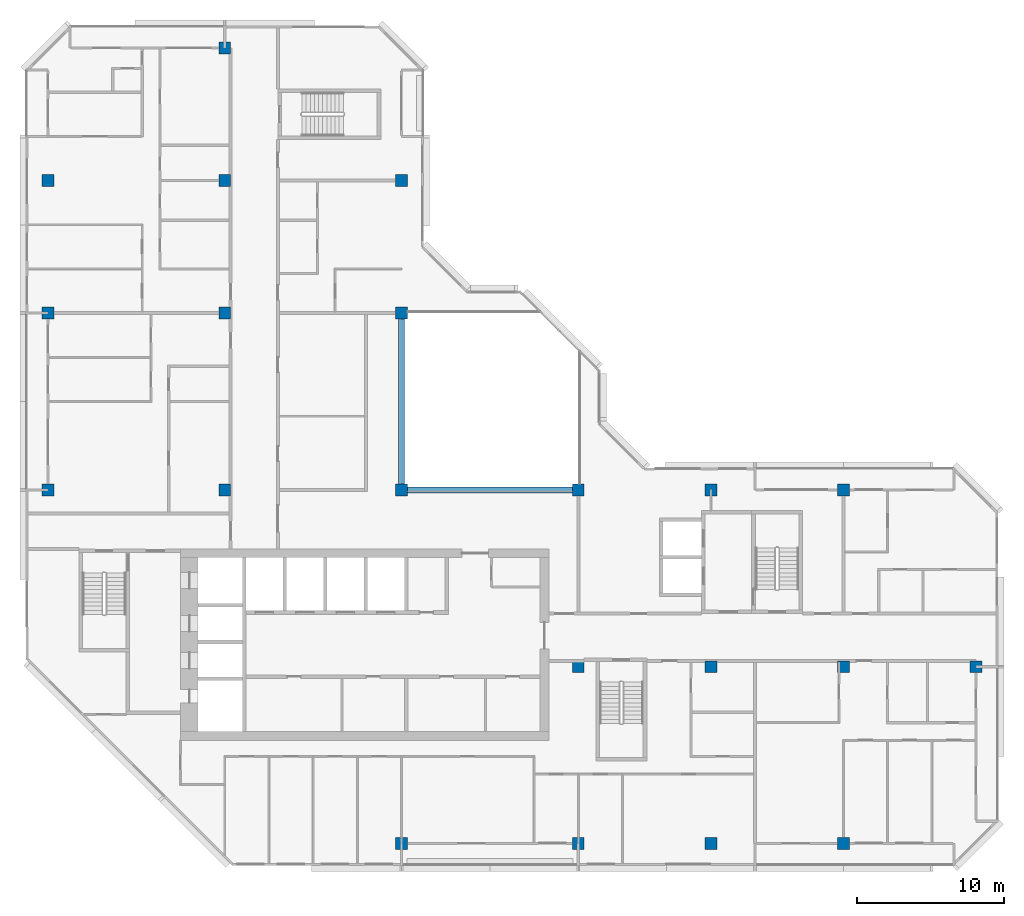
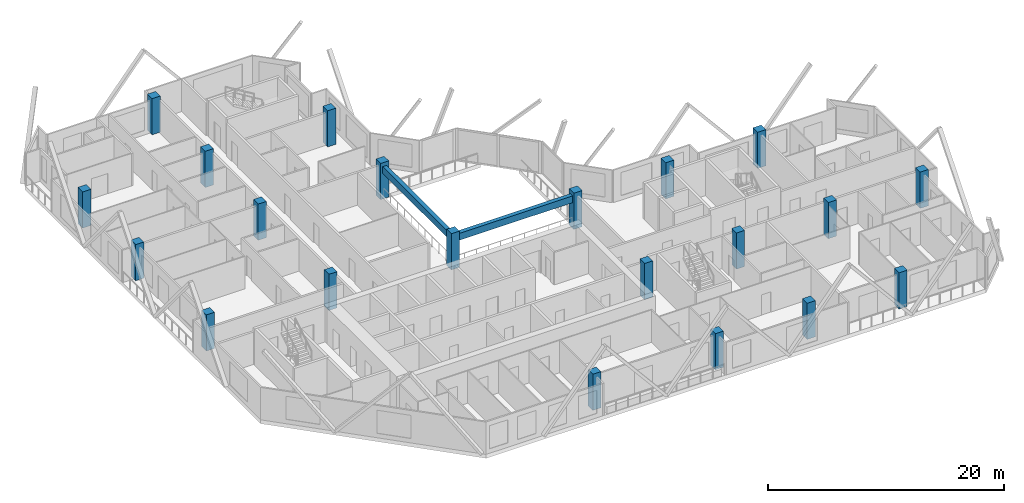
# One storey, part 1 of 13: 21 columns, 2 beams.
"""IFC4 building model written with IfcOpenShell, lengths in metres."""

from ifc_helpers import new_model, si_unit, direction, frame, origin, origin_2d, place, context, subcontext, project, spatial, rectangle, extrude, material, material_profile, profile_set, type_object, element, save


model = new_model("IFC4")

# Units and contexts
model_context = context("Model", 3, precision=1e-05, world=origin(), true_north=direction((0.0, 1.0)))
body_context = subcontext(model_context, "Body", "Model", "MODEL_VIEW")
ifc_project = project(units=[si_unit("LENGTHUNIT", "METRE"), si_unit("AREAUNIT", "SQUARE_METRE"), si_unit("VOLUMEUNIT", "CUBIC_METRE"), si_unit("PLANEANGLEUNIT", "RADIAN"), si_unit("MASSUNIT", "GRAM", prefix="KILO")], contexts=[model_context])

# Site, building, storey
site_placement = place(None, origin())
site = spatial("IfcSite", under=ifc_project, at=site_placement, CompositionType="ELEMENT")
building_placement = place(site_placement, origin())
building = spatial("IfcBuilding", under=site, at=building_placement, Name="Chenar Terraces", CompositionType="ELEMENT")
storey_placement = place(building_placement, frame((0.0, 0.0, 273.39990234375)))
storey = spatial("IfcBuildingStorey", under=building, at=storey_placement, Name="L63", CompositionType="ELEMENT", Elevation=273.39990234375)

# Columns
ifc_material_1 = material(Name="Concrete C50/60", Category="concrete")
ifc_material_profile_1 = material_profile(ifc_material_1, rectangle(XDim=0.800048828125, YDim=0.800048828125, at=origin_2d()), Name="C 800 x 800")
ifc_profile_set_1 = profile_set([ifc_material_profile_1], Name="Concrete C50/60")
column_type = type_object("IfcColumnType", Name="Column C 800 x 800 Concrete C50/60", PredefinedType="COLUMN", material=ifc_profile_set_1)
column_1_placement = place(storey_placement, frame((0.0, 24.0, 0.0), z_axis=(0.0, 0.0, 1.0), x_axis=(1.0, 0.0, 0.0)))
element("IfcColumn", 1, at=column_1_placement, inside=storey, type_object=column_type, Name="Column 5/G L63", PredefinedType="COLUMN", context=body_context, shape_type="SweptSolid", body=[
    extrude(rectangle(XDim=0.800048828125, YDim=0.800048828125, at=origin_2d()), origin(), (0.0, 0.0, 1.0), 3.75),
])
column_2_placement = place(storey_placement, frame((0.0, 36.0, 0.0), z_axis=(0.0, 0.0, 1.0), x_axis=(1.0, 0.0, 0.0)))
element("IfcColumn", 2, at=column_2_placement, inside=storey, type_object=column_type, Name="Column 5/H L63", PredefinedType="COLUMN", context=body_context, shape_type="SweptSolid", body=[
    extrude(rectangle(XDim=0.800048828125, YDim=0.800048828125, at=origin_2d()), origin(), (0.0, 0.0, 1.0), 3.75),
])
for number, where, z_axis, x_axis, name in (
    (3, (0.0, 45.0, 0.0), (0.0, 0.0, 1.0), (1.0, 0.0, 0.0), "Column 5/J L63"),
    (4, (12.0, 24.0, 0.0), (0.0, 0.0, 1.0), (1.0, 0.0, 0.0), "Column 6/G L63"),
    (5, (12.0, 36.0, 0.0), (0.0, 0.0, 1.0), (1.0, 0.0, 0.0), "Column 6/H L63"),
    (6, (12.0, 45.0, 0.0), (0.0, 0.0, 1.0), (1.0, 0.0, 0.0), "Column 6/J L63"),
    (7, (12.0, 54.0, 0.0), (0.0, 0.0, 1.0), (1.0, 0.0, 0.0), "Column 6/K L63"),
    (8, (24.0, 0.0, 0.0), (0.0, 0.0, 1.0), (1.0, 0.0, 0.0), "Column 7/E L63"),
    (9, (24.0, 24.0, 0.0), (0.0, 0.0, 1.0), (1.0, 0.0, 0.0), "Column 7/G L63"),
    (10, (24.0, 36.0, 0.0), (0.0, 0.0, 1.0), (1.0, 0.0, 0.0), "Column 7/H L63"),
    (11, (24.0, 45.0, 0.0), (0.0, 0.0, 1.0), (1.0, 0.0, 0.0), "Column 7/J L63"),
    (12, (36.0, 0.0, 0.0), (0.0, 0.0, 1.0), (1.0, 0.0, 0.0), "Column 8/E L63"),
    (13, (36.0, 12.0, 0.0), (0.0, 0.0, 1.0), (1.0, 0.0, 0.0), "Column 8/F L63"),
    (14, (36.0, 24.0, 0.0), (0.0, 0.0, 1.0), (1.0, 0.0, 0.0), "Column 8/G L63"),
    (15, (45.0, 0.0, 0.0), (0.0, 0.0, 1.0), (1.0, 0.0, 0.0), "Column 9/E L63"),
    (16, (45.0, 12.0, 0.0), (0.0, 0.0, 1.0), (1.0, 0.0, 0.0), "Column 9/F L63"),
    (17, (45.0, 24.0, 0.0), (0.0, 0.0, 1.0), (1.0, 0.0, 0.0), "Column 9/G L63"),
    (18, (54.0, 0.0, 0.0), (0.0, 0.0, 1.0), (1.0, 0.0, 0.0), "Column 10/E L63"),
    (19, (54.0, 12.0, 0.0), (0.0, 0.0, 1.0), (1.0, 0.0, 0.0), "Column 10/F L63"),
    (20, (54.0, 24.0, 0.0), (0.0, 0.0, 1.0), (1.0, 0.0, 0.0), "Column 10/G L63"),
    (21, (63.0, 12.0, 0.0), (0.0, 0.0, 1.0), (1.0, 0.0, 0.0), "Column 11/F L63"),
):
    element("IfcColumn", number, at=place(storey_placement, frame(where, z_axis=z_axis, x_axis=x_axis)), inside=storey, type_object=column_type, Name=name, PredefinedType="COLUMN", context=body_context, shape_type="SweptSolid", body=[
        extrude(rectangle(XDim=0.800048828125, YDim=0.800048828125, at=origin_2d()), origin(), (0.0, 0.0, 1.0), 3.75),
    ])

# Beams
ifc_material_2 = material(Name="Concrete C40/50", Category="concrete")
ifc_material_profile_2 = material_profile(ifc_material_2, rectangle(XDim=0.39990234375, YDim=0.699951171875, at=origin_2d()), Name="RC 400 x 700")
ifc_profile_set_2 = profile_set([ifc_material_profile_2], Name="Concrete C40/50")
beam_type = type_object("IfcBeamType", Name="Atrium edge beam 400 x 700 Concrete C40/50", PredefinedType="BEAM", material=ifc_profile_set_2)
for number, where, z_axis, x_axis, name in (
    (22, (24.39990234375, 24.0, 3.0), (1.0, 0.0, 0.0), (0.0, 1.0, 0.0), "Atrium edge beam L64 1"),
    (23, (24.0, 35.60009765625, 3.0), (0.0, -1.0, 0.0), (1.0, 0.0, 0.0), "Atrium edge beam L64 4"),
):
    element("IfcBeam", number, at=place(storey_placement, frame(where, z_axis=z_axis, x_axis=x_axis)), inside=storey, type_object=beam_type, Name=name, PredefinedType="BEAM", context=body_context, shape_type="SweptSolid", body=[
        extrude(rectangle(XDim=0.39990234375, YDim=0.699951171875, at=origin_2d()), origin(), (0.0, 0.0, 1.0), 11.2001953125),
    ])

save(model, "model.ifc")
